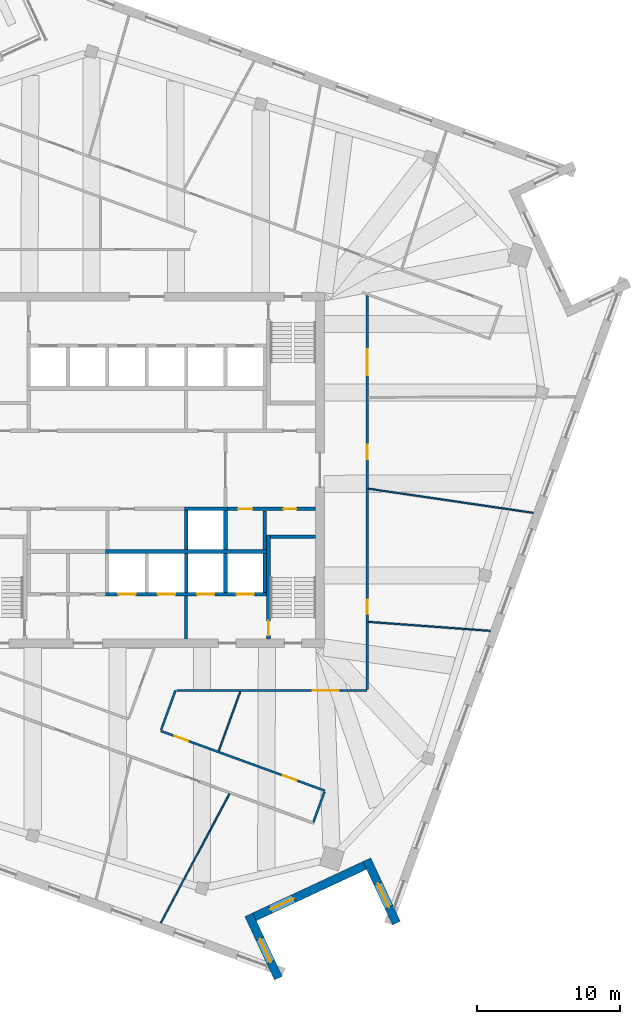
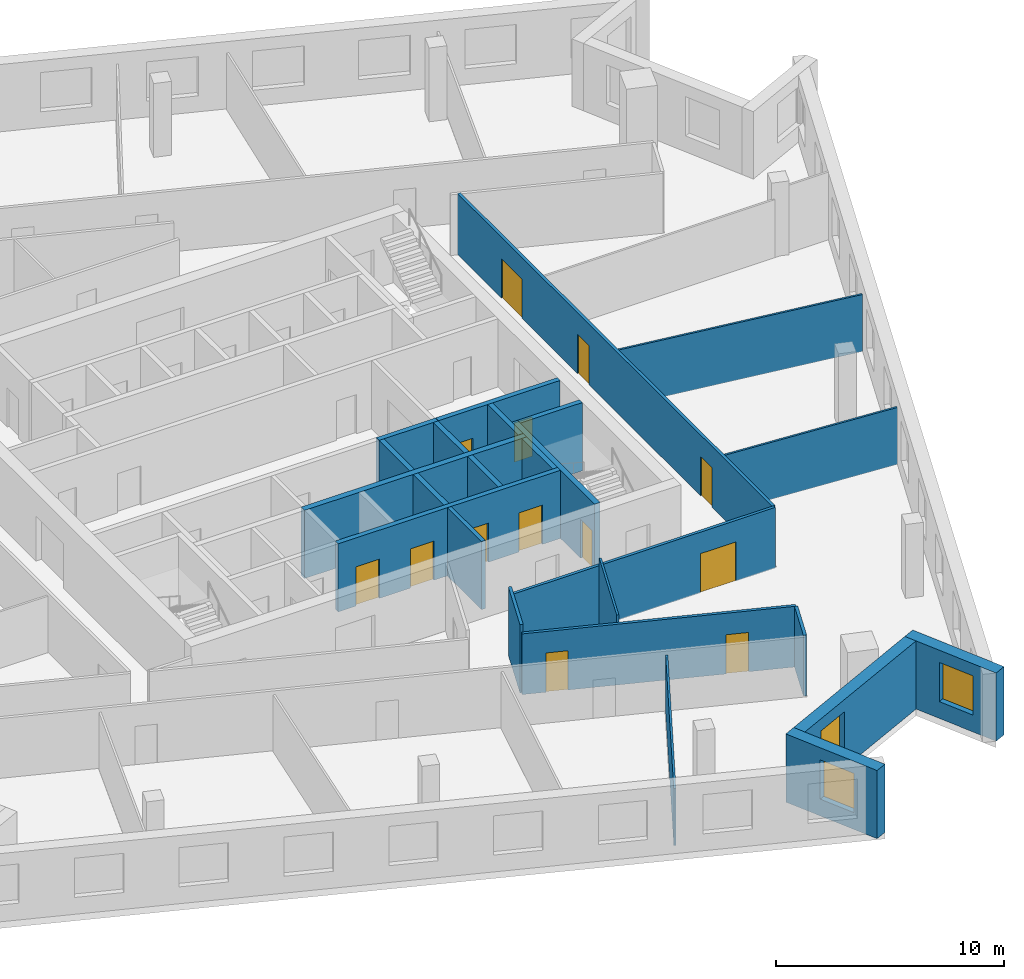
# One storey, part 7 of 13: 25 walls, 13 doors, 3 windows, 16 openings.
"""IFC4 building model written with IfcOpenShell, lengths in metres."""

from ifc_helpers import new_model, si_unit, direction, frame, frame_2d, origin, place, context, subcontext, project, spatial, rectangle, extrude, material, layer, layer_set, type_object, element, fill, save


model = new_model("IFC4")

# Units and contexts
model_context = context("Model", 3, precision=1e-05, world=origin(), true_north=direction((0.0, 1.0)))
body_context = subcontext(model_context, "Body", "Model", "MODEL_VIEW")
ifc_project = project(units=[si_unit("LENGTHUNIT", "METRE"), si_unit("AREAUNIT", "SQUARE_METRE"), si_unit("VOLUMEUNIT", "CUBIC_METRE"), si_unit("PLANEANGLEUNIT", "RADIAN"), si_unit("MASSUNIT", "GRAM", prefix="KILO")], contexts=[model_context])

# Site, building, storey
site_placement = place(None, origin())
site = spatial("IfcSite", under=ifc_project, at=site_placement, CompositionType="ELEMENT")
building_placement = place(site_placement, origin())
building = spatial("IfcBuilding", under=site, at=building_placement, Name="Dilmun Exchange Tower", CompositionType="ELEMENT")
storey_placement = place(building_placement, frame((0.0, 0.0, 304.5)))
storey = spatial("IfcBuildingStorey", under=building, at=storey_placement, Name="L72", CompositionType="ELEMENT", Elevation=304.5)

# Walls
ifc_material_1 = material(Name="Concrete C40/50", Category="concrete")
ifc_layer_1 = layer(ifc_material_1, 0.199951171875)
ifc_layer_set_1 = layer_set([ifc_layer_1], Name="Concrete C40/50")
wall_type_1 = type_object("IfcWallType", Name="Core partition wall 200", PredefinedType="PARTITIONING", material=ifc_layer_set_1)
wall_1_placement = place(storey_placement, frame((2.75, -11.794921875, 0.0), z_axis=(0.0, 0.0, 1.0), x_axis=(0.0, 1.0, 0.0)))
element("IfcWall", 1, at=wall_1_placement, inside=storey, type_object=wall_type_1, Name="L72 core partition wall 02", PredefinedType="PARTITIONING", context=body_context, shape_type="SweptSolid", body=[
    extrude(rectangle(XDim=2.989990234375, YDim=0.199951171875, at=frame_2d((1.4951171875, 0.0))), origin(), (0.0, 0.0, 1.0), 3.64990234375),
])
ifc_layer_2 = layer(ifc_material_1, 0.25)
ifc_layer_set_2 = layer_set([ifc_layer_2], Name="Concrete C40/50")
wall_type_2 = type_object("IfcWallType", Name="Core partition wall 250", PredefinedType="PARTITIONING", material=ifc_layer_set_2)
wall_2_placement = place(storey_placement, frame((8.25, -5.544921875, 0.0), z_axis=(0.0, 0.0, 1.0), x_axis=(0.0, 1.0, 0.0)))
element("IfcWall", 2, at=wall_2_placement, inside=storey, type_object=wall_type_2, Name="L72 core partition wall 09", PredefinedType="PARTITIONING", context=body_context, shape_type="SweptSolid", body=[
    extrude(rectangle(XDim=2.68994140625, YDim=0.25, at=frame_2d((1.344970703125, 0.0))), origin(), (0.0, 0.0, 1.0), 3.64990234375),
])

# Wall, openings, doors
wall_3_placement = place(storey_placement, frame((5.6298828125, -2.72509765625, 0.0), z_axis=(0.0, 0.0, 1.0), x_axis=(1.0, 0.0, 0.0)))
wall_3 = element("IfcWall", 3, at=wall_3_placement, inside=storey, type_object=wall_type_2, Name="L72 core partition wall 11", PredefinedType="PARTITIONING", context=body_context, shape_type="SweptSolid", body=[
    extrude(rectangle(XDim=6.1650390625, YDim=0.25, at=frame_2d((3.08251953125, 0.0))), origin(), (0.0, 0.0, 1.0), 3.64990234375),
])
opening_1_placement = place(wall_3_placement, frame((0.7451171875, 0.0, 0.0)))
opening_1 = element("IfcOpeningElement", 4, at=opening_1_placement, cuts=wall_3, Name="Opening CD4", PredefinedType="OPENING", context=body_context, shape_type="SweptSolid", body=[
    extrude(rectangle(XDim=1.0, YDim=2.10009765625, at=frame_2d((0.5, 1.050048828125))), frame((0.0, 0.135009765625, 0.0), z_axis=(0.0, -1.0, 0.0), x_axis=(1.0, 0.0, 0.0)), (0.0, 0.0, 1.0), 0.27001953125),
])
opening_2_placement = place(wall_3_placement, frame((3.919921875, 0.0, 0.0)))
opening_2 = element("IfcOpeningElement", 5, at=opening_2_placement, cuts=wall_3, Name="Opening CD6", PredefinedType="OPENING", context=body_context, shape_type="SweptSolid", body=[
    extrude(rectangle(XDim=0.89990234375, YDim=2.10009765625, at=frame_2d((0.449951171875, 1.050048828125))), frame((0.0, 0.135009765625, 0.0), z_axis=(0.0, -1.0, 0.0), x_axis=(1.0, 0.0, 0.0)), (0.0, 0.0, 1.0), 0.27001953125),
])
ifc_material_2 = material(Name="Fire-rated steel door set", Category="steel")
door_type_1 = type_object("IfcDoorType", Name="Core room door 1000x2100", OperationType="SINGLE_SWING_LEFT", PredefinedType="DOOR", material=ifc_material_2)
door_1_placement = place(opening_1_placement, origin())
door_1 = element("IfcDoor", 6, at=door_1_placement, inside=storey, type_object=door_type_1, Name="L72 door Cleaners' store", OperationType="SINGLE_SWING_LEFT", OverallHeight=2.10009765625, OverallWidth=1.0, PredefinedType="DOOR", context=body_context, shape_type="SweptSolid", body=[
    extrude(rectangle(XDim=1.0, YDim=2.10009765625, at=frame_2d((0.5, 1.050048828125))), frame((0.0, 0.02490234375, 0.0), z_axis=(0.0, -1.0, 0.0), x_axis=(1.0, 0.0, 0.0)), (0.0, 0.0, 1.0), 0.050048828125),
])
fill(opening_1, door_1)
door_type_2 = type_object("IfcDoorType", Name="Core room door 900x2100", OperationType="SINGLE_SWING_LEFT", PredefinedType="DOOR", material=ifc_material_2)
door_2_placement = place(opening_2_placement, origin())
door_2 = element("IfcDoor", 7, at=door_2_placement, inside=storey, type_object=door_type_2, Name="L72 door Comms riser", OperationType="SINGLE_SWING_LEFT", OverallHeight=2.10009765625, OverallWidth=0.89990234375, PredefinedType="DOOR", context=body_context, shape_type="SweptSolid", body=[
    extrude(rectangle(XDim=0.89990234375, YDim=2.10009765625, at=frame_2d((0.449951171875, 1.050048828125))), frame((0.0, 0.02490234375, 0.0), z_axis=(0.0, -1.0, 0.0), x_axis=(1.0, 0.0, 0.0)), (0.0, 0.0, 1.0), 0.050048828125),
])
fill(opening_2, door_2)

ifc_material_3 = material(Name="Corridor wall 150")
ifc_layer_3 = layer(ifc_material_3, 0.14990234375)
ifc_layer_set_3 = layer_set([ifc_layer_3], Name="Corridor wall 150")
wall_type_3 = type_object("IfcWallType", Name="Corridor wall 150", PredefinedType="PARTITIONING", material=ifc_layer_set_3)
wall_4_placement = place(storey_placement, frame((0.97802734375, -18.22998046875, 0.0), z_axis=(0.0, 0.0, 1.0), x_axis=(0.939684094149, -0.34204356916, 0.0)))
wall_4 = element("IfcWall", 8, at=wall_4_placement, inside=storey, type_object=wall_type_3, Name="Corridor wall", PredefinedType="PARTITIONING", context=body_context, shape_type="SweptSolid", body=[
    extrude(rectangle(XDim=12.197509765625, YDim=0.14990234375, at=frame_2d((6.0986328125, 0.0))), origin(), (0.0, 0.0, 1.0), 3.25),
])
opening_3_placement = place(wall_4_placement, frame((1.05029296875, 0.0, 0.0)))
opening_3 = element("IfcOpeningElement", 9, at=opening_3_placement, cuts=wall_4, Name="Opening TF72-D13", PredefinedType="OPENING", context=body_context, shape_type="SweptSolid", body=[
    extrude(rectangle(XDim=1.0, YDim=2.10009765625, at=frame_2d((0.5, 1.050048828125))), frame((0.0, 0.0849609375, 0.0), z_axis=(0.0, -1.0, 0.0), x_axis=(1.0, 0.0, 0.0)), (0.0, 0.0, 1.0), 0.169921875),
])
opening_4_placement = place(wall_4_placement, frame((9.08251953125, 0.0, 0.0)))
opening_4 = element("IfcOpeningElement", 10, at=opening_4_placement, cuts=wall_4, Name="Opening TF72-D16", PredefinedType="OPENING", context=body_context, shape_type="SweptSolid", body=[
    extrude(rectangle(XDim=1.0, YDim=2.10009765625, at=frame_2d((0.5, 1.050048828125))), frame((0.0, 0.0849609375, 0.0), z_axis=(0.0, -1.0, 0.0), x_axis=(1.0, 0.0, 0.0)), (0.0, 0.0, 1.0), 0.169921875),
])
ifc_material_4 = material(Name="Fire door 1000 x 2100")
door_type_3 = type_object("IfcDoorType", Name="Fire door 1000 x 2100", OperationType="NOTDEFINED", PredefinedType="DOOR", material=ifc_material_4)
door_3_placement = place(opening_3_placement, origin())
door_3 = element("IfcDoor", 11, at=door_3_placement, inside=storey, type_object=door_type_3, Name="Door TF72-D13", OperationType="SINGLE_SWING_LEFT", OverallHeight=2.10009765625, OverallWidth=1.0, PredefinedType="DOOR", context=body_context, shape_type="SweptSolid", body=[
    extrude(rectangle(XDim=1.0, YDim=2.10009765625, at=frame_2d((0.5, 1.050048828125))), frame((0.0, 0.02490234375, 0.0), z_axis=(0.0, -1.0, 0.0), x_axis=(1.0, 0.0, 0.0)), (0.0, 0.0, 1.0), 0.050048828125),
])
fill(opening_3, door_3)
door_4_placement = place(opening_4_placement, origin())
door_4 = element("IfcDoor", 12, at=door_4_placement, inside=storey, type_object=door_type_3, Name="Door TF72-D16", OperationType="SINGLE_SWING_RIGHT", OverallHeight=2.10009765625, OverallWidth=1.0, PredefinedType="DOOR", context=body_context, shape_type="SweptSolid", body=[
    extrude(rectangle(XDim=1.0, YDim=2.10009765625, at=frame_2d((0.5, 1.050048828125))), frame((0.0, 0.02490234375, 0.0), z_axis=(0.0, -1.0, 0.0), x_axis=(1.0, 0.0, 0.0)), (0.0, 0.0, 1.0), 0.050048828125),
])
fill(opening_4, door_4)

# Wall
wall_5_placement = place(storey_placement, frame((1.003662109375, -18.159423828125, 0.0), z_axis=(0.0, 0.0, 1.0), x_axis=(0.342023405877, 0.939691433308, 0.0)))
element("IfcWall", 13, at=wall_5_placement, inside=storey, type_object=wall_type_3, Name="Corridor wall", PredefinedType="PARTITIONING", context=body_context, shape_type="SweptSolid", body=[
    extrude(rectangle(XDim=2.9365234375, YDim=0.14990234375, at=frame_2d((1.46826171875, 0.0))), origin(), (0.0, 0.0, 1.0), 3.64990234375),
])

# Wall, opening, door
wall_6_placement = place(storey_placement, frame((2.114990234375, -15.39990234375, 0.0), z_axis=(0.0, 0.0, 1.0), x_axis=(1.0, 0.0, 0.0)))
wall_6 = element("IfcWall", 14, at=wall_6_placement, inside=storey, type_object=wall_type_3, Name="Corridor wall", PredefinedType="PARTITIONING", context=body_context, shape_type="SweptSolid", body=[
    extrude(rectangle(XDim=13.284912109375, YDim=0.14990234375, at=frame_2d((6.642578125, 0.0))), origin(), (0.0, 0.0, 1.0), 3.25),
])
opening_5_placement = place(wall_6_placement, frame((9.485595703125, 0.0, 0.0)))
opening_5 = element("IfcOpeningElement", 15, at=opening_5_placement, cuts=wall_6, Name="Opening TF72-D15", PredefinedType="OPENING", context=body_context, shape_type="SweptSolid", body=[
    extrude(rectangle(XDim=1.800048828125, YDim=2.10009765625, at=frame_2d((0.89990234375, 1.050048828125))), frame((0.0, 0.0849609375, 0.0), z_axis=(0.0, -1.0, 0.0), x_axis=(1.0, 0.0, 0.0)), (0.0, 0.0, 1.0), 0.169921875),
])
ifc_material_5 = material(Name="Fire door pair 1800 x 2100")
door_type_4 = type_object("IfcDoorType", Name="Fire door pair 1800 x 2100", OperationType="NOTDEFINED", PredefinedType="DOOR", material=ifc_material_5)
door_5_placement = place(opening_5_placement, frame((1.800048828125, 0.0, 0.0), z_axis=(0.0, 0.0, 1.0), x_axis=(-1.0, 0.0, 0.0)))
door_5 = element("IfcDoor", 16, at=door_5_placement, inside=storey, type_object=door_type_4, Name="Door TF72-D15", OperationType="DOUBLE_DOOR_SINGLE_SWING", OverallHeight=2.10009765625, OverallWidth=1.800048828125, PredefinedType="DOOR", context=body_context, shape_type="SweptSolid", body=[
    extrude(rectangle(XDim=1.800048828125, YDim=2.10009765625, at=frame_2d((0.89990234375, 1.050048828125))), frame((0.0, 0.02490234375, 0.0), z_axis=(0.0, -1.0, 0.0), x_axis=(1.0, 0.0, 0.0)), (0.0, 0.0, 1.0), 0.050048828125),
])
fill(opening_5, door_5)

# Wall
wall_7_placement = place(storey_placement, frame((11.644775390625, -24.58642578125, 0.0), z_axis=(0.0, 0.0, 1.0), x_axis=(0.342056723843, 0.93967930576, 0.0)))
element("IfcWall", 17, at=wall_7_placement, inside=storey, type_object=wall_type_3, Name="Corridor wall", PredefinedType="PARTITIONING", context=body_context, shape_type="SweptSolid", body=[
    extrude(rectangle(XDim=2.249755859375, YDim=0.14990234375, at=frame_2d((1.125, 0.0))), origin(), (0.0, 0.0, 1.0), 3.25),
])

# Wall, openings, doors
wall_8_placement = place(storey_placement, frame((15.39990234375, -15.324951171875, 0.0), z_axis=(0.0, 0.0, 1.0), x_axis=(0.0, 1.0, 0.0)))
wall_8 = element("IfcWall", 18, at=wall_8_placement, inside=storey, type_object=wall_type_3, Name="Corridor wall", PredefinedType="PARTITIONING", context=body_context, shape_type="SweptSolid", body=[
    extrude(rectangle(XDim=27.593017578125, YDim=0.14990234375, at=frame_2d((13.79638671875, 0.0))), origin(), (0.0, 0.0, 1.0), 3.25),
])
opening_6_placement = place(wall_8_placement, frame((5.266845703125, 0.0, 0.0)))
opening_6 = element("IfcOpeningElement", 19, at=opening_6_placement, cuts=wall_8, Name="Opening TF72-D18", PredefinedType="OPENING", context=body_context, shape_type="SweptSolid", body=[
    extrude(rectangle(XDim=1.0, YDim=2.10009765625, at=frame_2d((0.5, 1.050048828125))), frame((0.0, 0.0849609375, 0.0), z_axis=(0.0, -1.0, 0.0), x_axis=(1.0, 0.0, 0.0)), (0.0, 0.0, 1.0), 0.169921875),
])
opening_7_placement = place(wall_8_placement, frame((16.072021484375, 0.0, 0.0)))
opening_7 = element("IfcOpeningElement", 20, at=opening_7_placement, cuts=wall_8, Name="Opening TF72-D19", PredefinedType="OPENING", context=body_context, shape_type="SweptSolid", body=[
    extrude(rectangle(XDim=1.0, YDim=2.10009765625, at=frame_2d((0.5, 1.050048828125))), frame((0.0, 0.0849609375, 0.0), z_axis=(0.0, -1.0, 0.0), x_axis=(1.0, 0.0, 0.0)), (0.0, 0.0, 1.0), 0.169921875),
])
opening_8_placement = place(wall_8_placement, frame((21.94384765625, 0.0, 0.0)))
opening_8 = element("IfcOpeningElement", 21, at=opening_8_placement, cuts=wall_8, Name="Opening TF72-D20", PredefinedType="OPENING", context=body_context, shape_type="SweptSolid", body=[
    extrude(rectangle(XDim=1.800048828125, YDim=2.10009765625, at=frame_2d((0.89990234375, 1.050048828125))), frame((0.0, 0.0849609375, 0.0), z_axis=(0.0, -1.0, 0.0), x_axis=(1.0, 0.0, 0.0)), (0.0, 0.0, 1.0), 0.169921875),
])
door_6_placement = place(opening_6_placement, frame((1.0, 0.0, 0.0), z_axis=(0.0, 0.0, 1.0), x_axis=(-1.0, 0.0, 0.0)))
door_6 = element("IfcDoor", 22, at=door_6_placement, inside=storey, type_object=door_type_3, Name="Door TF72-D18", OperationType="SINGLE_SWING_RIGHT", OverallHeight=2.10009765625, OverallWidth=1.0, PredefinedType="DOOR", context=body_context, shape_type="SweptSolid", body=[
    extrude(rectangle(XDim=1.0, YDim=2.10009765625, at=frame_2d((0.5, 1.050048828125))), frame((0.0, 0.02490234375, 0.0), z_axis=(0.0, -1.0, 0.0), x_axis=(1.0, 0.0, 0.0)), (0.0, 0.0, 1.0), 0.050048828125),
])
fill(opening_6, door_6)
door_7_placement = place(opening_7_placement, frame((1.0, 0.0, 0.0), z_axis=(0.0, 0.0, 1.0), x_axis=(-1.0, 0.0, 0.0)))
door_7 = element("IfcDoor", 23, at=door_7_placement, inside=storey, type_object=door_type_3, Name="Door TF72-D19", OperationType="SINGLE_SWING_RIGHT", OverallHeight=2.10009765625, OverallWidth=1.0, PredefinedType="DOOR", context=body_context, shape_type="SweptSolid", body=[
    extrude(rectangle(XDim=1.0, YDim=2.10009765625, at=frame_2d((0.5, 1.050048828125))), frame((0.0, 0.02490234375, 0.0), z_axis=(0.0, -1.0, 0.0), x_axis=(1.0, 0.0, 0.0)), (0.0, 0.0, 1.0), 0.050048828125),
])
fill(opening_7, door_7)
door_8_placement = place(opening_8_placement, frame((1.800048828125, 0.0, 0.0), z_axis=(0.0, 0.0, 1.0), x_axis=(-1.0, 0.0, 0.0)))
door_8 = element("IfcDoor", 24, at=door_8_placement, inside=storey, type_object=door_type_4, Name="Door TF72-D20", OperationType="DOUBLE_DOOR_SINGLE_SWING", OverallHeight=2.10009765625, OverallWidth=1.800048828125, PredefinedType="DOOR", context=body_context, shape_type="SweptSolid", body=[
    extrude(rectangle(XDim=1.800048828125, YDim=2.10009765625, at=frame_2d((0.89990234375, 1.050048828125))), frame((0.0, 0.02490234375, 0.0), z_axis=(0.0, -1.0, 0.0), x_axis=(1.0, 0.0, 0.0)), (0.0, 0.0, 1.0), 0.050048828125),
])
fill(opening_8, door_8)

# Walls
ifc_layer_4 = layer(ifc_material_1, 0.300048828125)
ifc_layer_set_4 = layer_set([ifc_layer_4], Name="Concrete C40/50")
wall_type_4 = type_object("IfcWallType", Name="Lift shaft shared wall 300", PredefinedType="SOLIDWALL", material=ifc_layer_set_4)
wall_9_placement = place(storey_placement, frame((-2.875, -5.699951171875, 0.0), z_axis=(0.0, 0.0, 1.0), x_axis=(1.0, 0.0, 0.0)))
element("IfcWall", 25, at=wall_9_placement, inside=storey, type_object=wall_type_4, Name="L72 lift shaft rear wall S", PredefinedType="SOLIDWALL", context=body_context, shape_type="SweptSolid", body=[
    extrude(rectangle(XDim=11.25, YDim=0.300048828125, at=frame_2d((5.625, 0.0))), origin(), (0.0, 0.0, 1.0), 3.64990234375),
])
ifc_layer_5 = layer(ifc_material_1, 0.25)
ifc_layer_set_5 = layer_set([ifc_layer_5], Name="Concrete C40/50")
wall_type_5 = type_object("IfcWallType", Name="Lift shaft wall 250", PredefinedType="SOLIDWALL", material=ifc_layer_set_5)
wall_10_placement = place(storey_placement, frame((2.625, -2.72509765625, 0.0), z_axis=(0.0, 0.0, 1.0), x_axis=(1.0, 0.0, 0.0)))
element("IfcWall", 26, at=wall_10_placement, inside=storey, type_object=wall_type_5, Name="L72 lift shaft front wall S1", PredefinedType="SOLIDWALL", context=body_context, shape_type="SweptSolid", body=[
    extrude(rectangle(XDim=3.0, YDim=0.25, at=frame_2d((1.5, 0.0))), origin(), (0.0, 0.0, 1.0), 3.64990234375),
])
for number, where, z_axis, x_axis, name in (
    (27, (2.75, -5.550048828125, 0.0), (0.0, 0.0, 1.0), (0.0, 1.0, 0.0), "L72 lift shaft divider S14"),
    (28, (5.5, -5.550048828125, 0.0), (0.0, 0.0, 1.0), (0.0, 1.0, 0.0), "L72 lift shaft divider S15"),
):
    element("IfcWall", number, at=place(storey_placement, frame(where, z_axis=z_axis, x_axis=x_axis)), inside=storey, type_object=wall_type_5, Name=name, PredefinedType="SOLIDWALL", context=body_context, shape_type="SweptSolid", body=[
        extrude(rectangle(XDim=2.699951171875, YDim=0.25, at=frame_2d((1.35009765625, 0.0))), origin(), (0.0, 0.0, 1.0), 3.64990234375),
    ])

# Wall, openings, doors
wall_11_placement = place(storey_placement, frame((-2.875, -8.675048828125, 0.0), z_axis=(0.0, 0.0, 1.0), x_axis=(1.0, 0.0, 0.0)))
wall_11 = element("IfcWall", 29, at=wall_11_placement, inside=storey, type_object=wall_type_5, Name="L72 lift shaft front wall S2", PredefinedType="SOLIDWALL", context=body_context, shape_type="SweptSolid", body=[
    extrude(rectangle(XDim=11.25, YDim=0.25, at=frame_2d((5.625, 0.0))), origin(), (0.0, 0.0, 1.0), 3.64990234375),
])
opening_9_placement = place(wall_11_placement, frame((0.89990234375, 0.0, 0.0)))
opening_9 = element("IfcOpeningElement", 30, at=opening_9_placement, cuts=wall_11, Name="Opening LD", PredefinedType="OPENING", context=body_context, shape_type="SweptSolid", body=[
    extrude(rectangle(XDim=1.199951171875, YDim=2.10009765625, at=frame_2d((0.60009765625, 1.050048828125))), frame((0.0, 0.135009765625, 0.0), z_axis=(0.0, -1.0, 0.0), x_axis=(1.0, 0.0, 0.0)), (0.0, 0.0, 1.0), 0.27001953125),
])
opening_10_placement = place(wall_11_placement, frame((3.64990234375, 0.0, 0.0)))
opening_10 = element("IfcOpeningElement", 31, at=opening_10_placement, cuts=wall_11, Name="Opening LD", PredefinedType="OPENING", context=body_context, shape_type="SweptSolid", body=[
    extrude(rectangle(XDim=1.199951171875, YDim=2.10009765625, at=frame_2d((0.60009765625, 1.050048828125))), frame((0.0, 0.135009765625, 0.0), z_axis=(0.0, -1.0, 0.0), x_axis=(1.0, 0.0, 0.0)), (0.0, 0.0, 1.0), 0.27001953125),
])
opening_11_placement = place(wall_11_placement, frame((6.39990234375, 0.0, 0.0)))
opening_11 = element("IfcOpeningElement", 32, at=opening_11_placement, cuts=wall_11, Name="Opening LD", PredefinedType="OPENING", context=body_context, shape_type="SweptSolid", body=[
    extrude(rectangle(XDim=1.199951171875, YDim=2.10009765625, at=frame_2d((0.60009765625, 1.050048828125))), frame((0.0, 0.135009765625, 0.0), z_axis=(0.0, -1.0, 0.0), x_axis=(1.0, 0.0, 0.0)), (0.0, 0.0, 1.0), 0.27001953125),
])
opening_12_placement = place(wall_11_placement, frame((9.14990234375, 0.0, 0.0)))
opening_12 = element("IfcOpeningElement", 33, at=opening_12_placement, cuts=wall_11, Name="Opening LD", PredefinedType="OPENING", context=body_context, shape_type="SweptSolid", body=[
    extrude(rectangle(XDim=1.199951171875, YDim=2.10009765625, at=frame_2d((0.60009765625, 1.050048828125))), frame((0.0, 0.135009765625, 0.0), z_axis=(0.0, -1.0, 0.0), x_axis=(1.0, 0.0, 0.0)), (0.0, 0.0, 1.0), 0.27001953125),
])
door_type_5 = type_object("IfcDoorType", Name="Lift landing door 1200x2100", OperationType="DOUBLE_DOOR_SLIDING", PredefinedType="DOOR", material=ifc_material_2)
door_9_placement = place(opening_9_placement, origin())
door_9 = element("IfcDoor", 34, at=door_9_placement, inside=storey, type_object=door_type_5, Name="L72 landing door SV1", OperationType="DOUBLE_DOOR_SLIDING", OverallHeight=2.10009765625, OverallWidth=1.199951171875, PredefinedType="DOOR", context=body_context, shape_type="SweptSolid", body=[
    extrude(rectangle(XDim=1.199951171875, YDim=2.10009765625, at=frame_2d((0.60009765625, 1.050048828125))), frame((0.0, 0.02490234375, 0.0), z_axis=(0.0, -1.0, 0.0), x_axis=(1.0, 0.0, 0.0)), (0.0, 0.0, 1.0), 0.050048828125),
])
fill(opening_9, door_9)
door_10_placement = place(opening_10_placement, origin())
door_10 = element("IfcDoor", 35, at=door_10_placement, inside=storey, type_object=door_type_5, Name="L72 landing door SV2", OperationType="DOUBLE_DOOR_SLIDING", OverallHeight=2.10009765625, OverallWidth=1.199951171875, PredefinedType="DOOR", context=body_context, shape_type="SweptSolid", body=[
    extrude(rectangle(XDim=1.199951171875, YDim=2.10009765625, at=frame_2d((0.60009765625, 1.050048828125))), frame((0.0, 0.02490234375, 0.0), z_axis=(0.0, -1.0, 0.0), x_axis=(1.0, 0.0, 0.0)), (0.0, 0.0, 1.0), 0.050048828125),
])
fill(opening_10, door_10)
door_11_placement = place(opening_11_placement, origin())
door_11 = element("IfcDoor", 36, at=door_11_placement, inside=storey, type_object=door_type_5, Name="L72 landing door FF1", OperationType="DOUBLE_DOOR_SLIDING", OverallHeight=2.10009765625, OverallWidth=1.199951171875, PredefinedType="DOOR", context=body_context, shape_type="SweptSolid", body=[
    extrude(rectangle(XDim=1.199951171875, YDim=2.10009765625, at=frame_2d((0.60009765625, 1.050048828125))), frame((0.0, 0.02490234375, 0.0), z_axis=(0.0, -1.0, 0.0), x_axis=(1.0, 0.0, 0.0)), (0.0, 0.0, 1.0), 0.050048828125),
])
fill(opening_11, door_11)
door_12_placement = place(opening_12_placement, origin())
door_12 = element("IfcDoor", 37, at=door_12_placement, inside=storey, type_object=door_type_5, Name="L72 landing door FF2", OperationType="DOUBLE_DOOR_SLIDING", OverallHeight=2.10009765625, OverallWidth=1.199951171875, PredefinedType="DOOR", context=body_context, shape_type="SweptSolid", body=[
    extrude(rectangle(XDim=1.199951171875, YDim=2.10009765625, at=frame_2d((0.60009765625, 1.050048828125))), frame((0.0, 0.02490234375, 0.0), z_axis=(0.0, -1.0, 0.0), x_axis=(1.0, 0.0, 0.0)), (0.0, 0.0, 1.0), 0.050048828125),
])
fill(opening_12, door_12)

# Walls
for number, where, z_axis, x_axis, name in (
    (38, (2.75, -8.550048828125, 0.0), (0.0, 0.0, 1.0), (0.0, 1.0, 0.0), "L72 lift shaft divider S24"),
    (39, (5.5, -8.550048828125, 0.0), (0.0, 0.0, 1.0), (0.0, 1.0, 0.0), "L72 lift shaft divider S25"),
    (40, (8.25, -8.550048828125, 0.0), (0.0, 0.0, 1.0), (0.0, 1.0, 0.0), "L72 lift shaft divider S26"),
):
    element("IfcWall", number, at=place(storey_placement, frame(where, z_axis=z_axis, x_axis=x_axis)), inside=storey, type_object=wall_type_5, Name=name, PredefinedType="SOLIDWALL", context=body_context, shape_type="SweptSolid", body=[
        extrude(rectangle(XDim=2.699951171875, YDim=0.25, at=frame_2d((1.35009765625, 0.0))), origin(), (0.0, 0.0, 1.0), 3.64990234375),
    ])
ifc_material_6 = material(Name="Partition 100")
ifc_layer_6 = layer(ifc_material_6, 0.10009765625)
ifc_layer_set_6 = layer_set([ifc_layer_6], Name="Partition 100")
wall_type_6 = type_object("IfcWallType", Name="Partition 100", PredefinedType="PARTITIONING", material=ifc_layer_set_6)
wall_12_placement = place(storey_placement, frame((0.981689453125, -31.641845703125, 0.0), z_axis=(0.0, 0.0, 1.0), x_axis=(0.469538881217, 0.882911795722, 0.0)))
element("IfcWall", 41, at=wall_12_placement, inside=storey, type_object=wall_type_6, Name="Partition", PredefinedType="PARTITIONING", context=body_context, shape_type="SweptSolid", body=[
    extrude(rectangle(XDim=10.21923828125, YDim=0.10009765625, at=frame_2d((5.109619140625, 0.0))), origin(), (0.0, 0.0, 1.0), 3.050048828125),
])
wall_13_placement = place(storey_placement, frame((5.027587890625, -19.62353515625, 0.0), z_axis=(0.0, 0.0, 1.0), x_axis=(0.342064062603, 0.939676634314, 0.0)))
element("IfcWall", 42, at=wall_13_placement, inside=storey, type_object=wall_type_6, Name="Partition", PredefinedType="PARTITIONING", context=body_context, shape_type="SweptSolid", body=[
    extrude(rectangle(XDim=4.396484375, YDim=0.10009765625, at=frame_2d((2.1982421875, 0.0))), origin(), (0.0, 0.0, 1.0), 3.64990234375),
])
wall_14_placement = place(storey_placement, frame((15.478759765625, -10.61083984375, 0.0), z_axis=(0.0, 0.0, 1.0), x_axis=(0.997294736008, -0.073506527135, 0.0)))
element("IfcWall", 43, at=wall_14_placement, inside=storey, type_object=wall_type_6, Name="Partition", PredefinedType="PARTITIONING", context=body_context, shape_type="SweptSolid", body=[
    extrude(rectangle(XDim=8.5458984375, YDim=0.10009765625, at=frame_2d((4.27294921875, 0.0))), origin(), (0.0, 0.0, 1.0), 3.050048828125),
])
wall_15_placement = place(storey_placement, frame((15.482421875, -1.30908203125, 0.0), z_axis=(0.0, 0.0, 1.0), x_axis=(0.989423142791, -0.145058072884, 0.0)))
element("IfcWall", 44, at=wall_15_placement, inside=storey, type_object=wall_type_6, Name="Partition", PredefinedType="PARTITIONING", context=body_context, shape_type="SweptSolid", body=[
    extrude(rectangle(XDim=11.6416015625, YDim=0.10009765625, at=frame_2d((5.82080078125, 0.0))), origin(), (0.0, 0.0, 1.0), 3.050048828125),
])

# Wall, opening, window
ifc_material_7 = material(Name="Precast concrete C50/60", Category="concrete")
ifc_layer_7 = layer(ifc_material_7, 0.60009765625)
ifc_layer_set_7 = layer_set([ifc_layer_7], Name="Precast concrete C50/60")
wall_type_7 = type_object("IfcWallType", Name="Precast stone-clad wall 600", PredefinedType="STANDARD", material=ifc_layer_set_7)
wall_16_placement = place(storey_placement, frame((9.19140625, -35.496337890625, 0.0), z_axis=(0.0, 0.0, 1.0), x_axis=(-0.422620080618, 0.906306938878, 0.0)))
wall_16 = element("IfcWall", 45, at=wall_16_placement, inside=storey, type_object=wall_type_7, Name="Facade wall L72-08", PredefinedType="STANDARD", context=body_context, shape_type="SweptSolid", body=[
    extrude(rectangle(XDim=4.885498046875, YDim=0.60009765625, at=frame_2d((2.44287109375, 0.0))), origin(), (0.0, 0.0, 1.0), 3.64990234375),
])
opening_13_placement = place(wall_16_placement, frame((1.242919921875, 0.0, 0.89990234375)))
opening_13 = element("IfcOpeningElement", 46, at=opening_13_placement, cuts=wall_16, Name="Opening W180-210", PredefinedType="OPENING", context=body_context, shape_type="SweptSolid", body=[
    extrude(rectangle(XDim=1.800048828125, YDim=2.10009765625, at=frame_2d((0.89990234375, 1.050048828125))), frame((0.0, 0.31005859375, 0.0), z_axis=(0.0, -1.0, 0.0), x_axis=(1.0, 0.0, 0.0)), (0.0, 0.0, 1.0), 0.6201171875),
])
ifc_material_8 = material(Name="Clear low-emissivity glass in aluminium frame", Category="aluminium")
window_type = type_object("IfcWindowType", Name="Punched window 1800 x 2100", PartitioningType="DOUBLE_PANEL_VERTICAL", PredefinedType="WINDOW", material=ifc_material_8)
window_1_placement = place(opening_13_placement, origin())
window_1 = element("IfcWindow", 47, at=window_1_placement, inside=storey, type_object=window_type, Name="Window 9.1", OverallHeight=2.10009765625, OverallWidth=1.800048828125, PartitioningType="SINGLE_PANEL", PredefinedType="WINDOW", context=body_context, shape_type="SweptSolid", body=[
    extrude(rectangle(XDim=1.800048828125, YDim=2.10009765625, at=frame_2d((0.89990234375, 1.050048828125))), frame((0.0, 0.030029296875, 0.0), z_axis=(0.0, -1.0, 0.0), x_axis=(1.0, 0.0, 0.0)), (0.0, 0.0, 1.0), 0.06005859375),
])
fill(opening_13, window_1)

wall_17_placement = place(storey_placement, frame((7.525146484375, -31.213623046875, 0.0), z_axis=(0.0, 0.0, 1.0), x_axis=(0.906317378365, 0.42259769246, 0.0)))
wall_17 = element("IfcWall", 48, at=wall_17_placement, inside=storey, type_object=wall_type_7, Name="Facade wall L72-09", PredefinedType="STANDARD", context=body_context, shape_type="SweptSolid", body=[
    extrude(rectangle(XDim=8.5, YDim=0.60009765625, at=frame_2d((4.25, 0.0))), origin(), (0.0, 0.0, 1.0), 3.64990234375),
])
opening_14_placement = place(wall_17_placement, frame((1.22509765625, 0.0, 0.89990234375)))
opening_14 = element("IfcOpeningElement", 49, at=opening_14_placement, cuts=wall_17, Name="Opening W180-210", PredefinedType="OPENING", context=body_context, shape_type="SweptSolid", body=[
    extrude(rectangle(XDim=1.800048828125, YDim=2.10009765625, at=frame_2d((0.89990234375, 1.050048828125))), frame((0.0, 0.31005859375, 0.0), z_axis=(0.0, -1.0, 0.0), x_axis=(1.0, 0.0, 0.0)), (0.0, 0.0, 1.0), 0.6201171875),
])
window_2_placement = place(opening_14_placement, origin())
window_2 = element("IfcWindow", 50, at=window_2_placement, inside=storey, type_object=window_type, Name="Window 10.1", OverallHeight=2.10009765625, OverallWidth=1.800048828125, PartitioningType="SINGLE_PANEL", PredefinedType="WINDOW", context=body_context, shape_type="SweptSolid", body=[
    extrude(rectangle(XDim=1.800048828125, YDim=2.10009765625, at=frame_2d((0.89990234375, 1.050048828125))), frame((0.0, 0.030029296875, 0.0), z_axis=(0.0, -1.0, 0.0), x_axis=(1.0, 0.0, 0.0)), (0.0, 0.0, 1.0), 0.06005859375),
])
fill(opening_14, window_2)

wall_18_placement = place(storey_placement, frame((15.3740234375, -27.222900390625, 0.0), z_axis=(0.0, 0.0, 1.0), x_axis=(0.422620080618, -0.906306938878, 0.0)))
wall_18 = element("IfcWall", 51, at=wall_18_placement, inside=storey, type_object=wall_type_7, Name="Facade wall L72-10", PredefinedType="STANDARD", context=body_context, shape_type="SweptSolid", body=[
    extrude(rectangle(XDim=4.885498046875, YDim=0.60009765625, at=frame_2d((2.44287109375, 0.0))), origin(), (0.0, 0.0, 1.0), 3.64990234375),
])
opening_15_placement = place(wall_18_placement, frame((1.8427734375, 0.0, 0.89990234375)))
opening_15 = element("IfcOpeningElement", 52, at=opening_15_placement, cuts=wall_18, Name="Opening W180-210", PredefinedType="OPENING", context=body_context, shape_type="SweptSolid", body=[
    extrude(rectangle(XDim=1.800048828125, YDim=2.10009765625, at=frame_2d((0.89990234375, 1.050048828125))), frame((0.0, 0.31005859375, 0.0), z_axis=(0.0, -1.0, 0.0), x_axis=(1.0, 0.0, 0.0)), (0.0, 0.0, 1.0), 0.6201171875),
])
window_3_placement = place(opening_15_placement, origin())
window_3 = element("IfcWindow", 53, at=window_3_placement, inside=storey, type_object=window_type, Name="Window 11.1", OverallHeight=2.10009765625, OverallWidth=1.800048828125, PartitioningType="SINGLE_PANEL", PredefinedType="WINDOW", context=body_context, shape_type="SweptSolid", body=[
    extrude(rectangle(XDim=1.800048828125, YDim=2.10009765625, at=frame_2d((0.89990234375, 1.050048828125))), frame((0.0, 0.030029296875, 0.0), z_axis=(0.0, -1.0, 0.0), x_axis=(1.0, 0.0, 0.0)), (0.0, 0.0, 1.0), 0.06005859375),
])
fill(opening_15, window_3)

# Wall
ifc_layer_8 = layer(ifc_material_1, 0.25)
ifc_layer_set_8 = layer_set([ifc_layer_8], Name="Concrete C40/50")
wall_type_8 = type_object("IfcWallType", Name="Stair end wall 250", PredefinedType="SOLIDWALL", material=ifc_layer_set_8)
wall_19_placement = place(storey_placement, frame((8.64990234375, -4.675048828125, 0.0), z_axis=(0.0, 0.0, 1.0), x_axis=(1.0, 0.0, 0.0)))
element("IfcWall", 54, at=wall_19_placement, inside=storey, type_object=wall_type_8, Name="L72 ST3 far wall", PredefinedType="SOLIDWALL", context=body_context, shape_type="SweptSolid", body=[
    extrude(rectangle(XDim=3.150146484375, YDim=0.25, at=frame_2d((1.5751953125, 0.0))), origin(), (0.0, 0.0, 1.0), 3.64990234375),
])

# Wall, opening, door
ifc_layer_9 = layer(ifc_material_1, 0.27490234375)
ifc_layer_set_9 = layer_set([ifc_layer_9], Name="Concrete C40/50")
wall_type_9 = type_object("IfcWallType", Name="Stair wall 275", PredefinedType="SOLIDWALL", material=ifc_layer_set_9)
wall_20_placement = place(storey_placement, frame((8.512451171875, -4.550048828125, 0.0), z_axis=(0.0, 0.0, 1.0), x_axis=(0.0, -1.0, 0.0)))
wall_20 = element("IfcWall", 55, at=wall_20_placement, inside=storey, type_object=wall_type_9, Name="L72 ST3 wall to lift block", PredefinedType="SOLIDWALL", context=body_context, shape_type="SweptSolid", body=[
    extrude(rectangle(XDim=7.25, YDim=0.27490234375, at=frame_2d((3.625, 0.0))), origin(), (0.0, 0.0, 1.0), 3.64990234375),
])
opening_16_placement = place(wall_20_placement, frame((6.0, 0.0, 0.0)))
opening_16 = element("IfcOpeningElement", 56, at=opening_16_placement, cuts=wall_20, Name="Opening CD4", PredefinedType="OPENING", context=body_context, shape_type="SweptSolid", body=[
    extrude(rectangle(XDim=1.0, YDim=2.10009765625, at=frame_2d((0.5, 1.050048828125))), frame((0.0, 0.1474609375, 0.0), z_axis=(0.0, -1.0, 0.0), x_axis=(1.0, 0.0, 0.0)), (0.0, 0.0, 1.0), 0.294921875),
])
door_13_placement = place(opening_16_placement, origin())
door_13 = element("IfcDoor", 57, at=door_13_placement, inside=storey, type_object=door_type_1, Name="L72 door ST3 from lobby", OperationType="SINGLE_SWING_LEFT", OverallHeight=2.10009765625, OverallWidth=1.0, PredefinedType="DOOR", context=body_context, shape_type="SweptSolid", body=[
    extrude(rectangle(XDim=1.0, YDim=2.10009765625, at=frame_2d((0.5, 1.050048828125))), frame((0.0, 0.02490234375, 0.0), z_axis=(0.0, -1.0, 0.0), x_axis=(1.0, 0.0, 0.0)), (0.0, 0.0, 1.0), 0.050048828125),
])
fill(opening_16, door_13)

save(model, "model.ifc")
